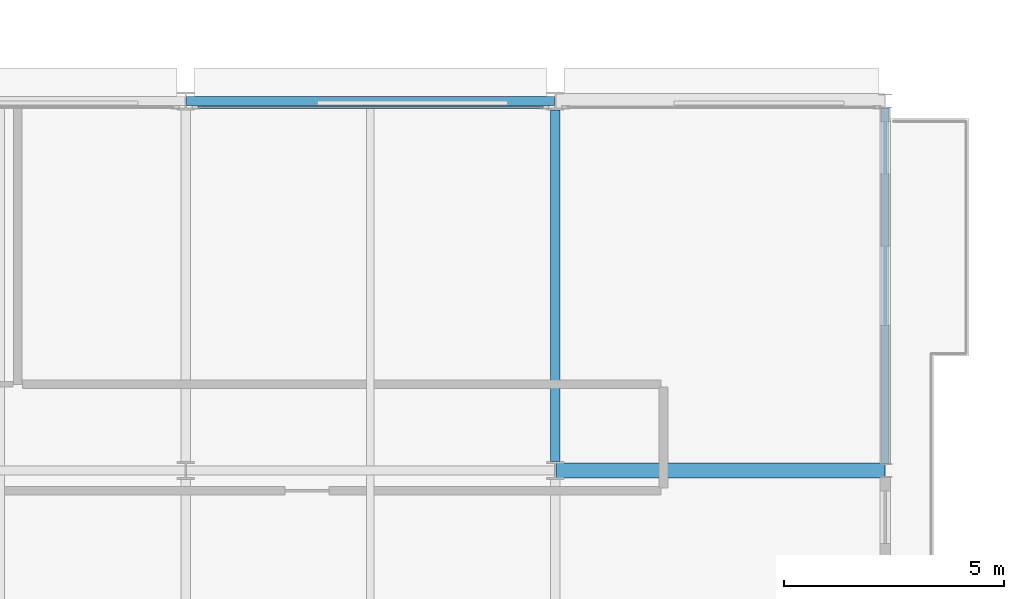
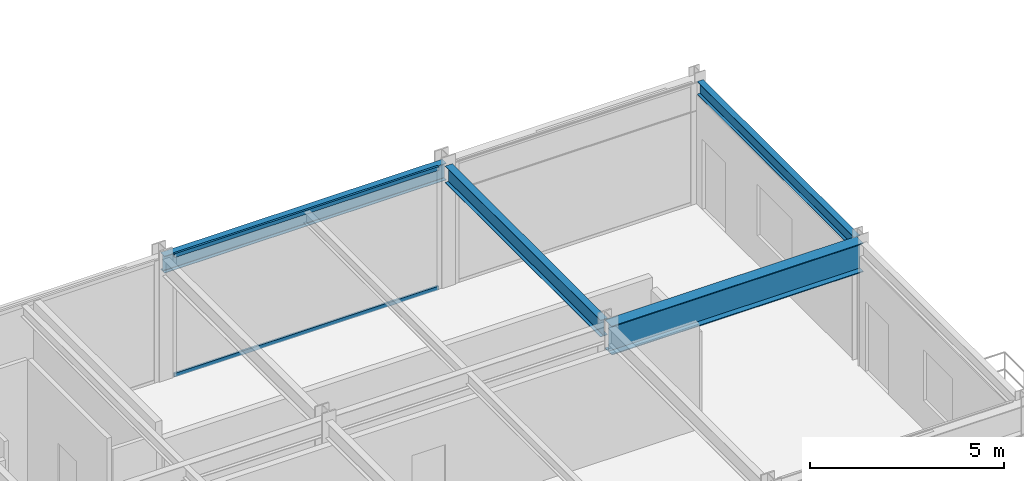
# One storey, part 21 of 39: 4 beams, 2 members, 1 element without a shape of its own.
"""IFC4 building model written with IfcOpenShell, lengths in metres."""

from ifc_helpers import new_model, si_unit, direction, frame, origin, origin_2d, place, context, subcontext, project, spatial, hollow_rectangle, i_section, extrude, material, layer, layer_set, material_profile, profile_set, type_object, element, aggregate, save


model = new_model("IFC4")

# Units and contexts
model_context = context("Model", 3, precision=1e-05, world=origin(), true_north=direction((0.0, 1.0)))
body_context = subcontext(model_context, "Body", "Model", "MODEL_VIEW")
ifc_project = project(units=[si_unit("LENGTHUNIT", "METRE"), si_unit("AREAUNIT", "SQUARE_METRE"), si_unit("VOLUMEUNIT", "CUBIC_METRE"), si_unit("PLANEANGLEUNIT", "RADIAN"), si_unit("MASSUNIT", "GRAM", prefix="KILO")], contexts=[model_context])

# Site, building, storey
site_placement = place(None, origin())
site = spatial("IfcSite", under=ifc_project, at=site_placement, CompositionType="ELEMENT")
building_placement = place(site_placement, origin())
building = spatial("IfcBuilding", under=site, at=building_placement, Name="Nerrivon Quay Data Exchange", CompositionType="ELEMENT")
storey_placement = place(building_placement, frame((0.0, 0.0, 92.60009765625)))
storey = spatial("IfcBuildingStorey", under=building, at=storey_placement, Name="L21", CompositionType="ELEMENT", Elevation=92.60009765625)

# Beams
ifc_material_1 = material(Name="Steel Grade 350", Category="steel")
ifc_material_profile_1 = material_profile(ifc_material_1, i_section(OverallWidth=0.35009765625, OverallDepth=0.909912109375, WebThickness=0.011962890625, FlangeThickness=0.02490234375, at=origin_2d()), Name="900WB218")
ifc_profile_set_1 = profile_set([ifc_material_profile_1], Name="Steel Grade 350")
beam_type_1 = type_object("IfcBeamType", Name="BM-CANT-900WB", PredefinedType="USERDEFINED", material=ifc_profile_set_1)
beam_1_placement = place(storey_placement, frame((50.41259765625, 16.800048828125, 3.369873046875), z_axis=(1.0, 0.0, 0.0), x_axis=(0.0, 1.0, 0.0)))
element("IfcBeam", 1, at=beam_1_placement, inside=storey, type_object=beam_type_1, Name="L21 East Hooked Cantilever Girder Y=16.8", ObjectType="TRANSFER", PredefinedType="USERDEFINED", context=body_context, shape_type="SweptSolid", body=[
    extrude(i_section(OverallWidth=0.35009765625, OverallDepth=0.909912109375, WebThickness=0.011962890625, FlangeThickness=0.02490234375, at=origin_2d()), origin(), (0.0, 0.0, 1.0), 7.4794921875),
])
ifc_material_profile_2 = material_profile(ifc_material_1, i_section(OverallWidth=0.208984375, OverallDepth=0.532958984375, WebThickness=0.01025390625, FlangeThickness=0.015625, FilletRadius=0.013916015625, at=origin_2d()), Name="530UB92.4")
ifc_profile_set_2 = profile_set([ifc_material_profile_2], Name="Steel Grade 350")
beam_type_2 = type_object("IfcBeamType", Name="BM-G3-530UB92", PredefinedType="BEAM", material=ifc_profile_set_2)
beam_2_placement = place(storey_placement, frame((42.012451171875, 25.199951171875, 3.558349609375), z_axis=(1.0, 0.0, 0.0), x_axis=(0.0, 1.0, 0.0)))
element("IfcBeam", 2, at=beam_2_placement, inside=storey, type_object=beam_type_2, Name="L21 EW Girder Y=25.2 (42.0..50.4)", PredefinedType="BEAM", context=body_context, shape_type="SweptSolid", body=[
    extrude(i_section(OverallWidth=0.208984375, OverallDepth=0.532958984375, WebThickness=0.01025390625, FlangeThickness=0.015625, FilletRadius=0.013916015625, at=origin_2d()), origin(), (0.0, 0.0, 1.0), 8.375),
])
ifc_material_profile_3 = material_profile(ifc_material_1, i_section(OverallWidth=0.208984375, OverallDepth=0.528076171875, WebThickness=0.009521484375, FlangeThickness=0.01318359375, FilletRadius=0.013916015625, at=origin_2d()), Name="530UB82.0")
ifc_profile_set_3 = profile_set([ifc_material_profile_3], Name="Steel Grade 350")
beam_type_3 = type_object("IfcBeamType", Name="BM-G4-530UB82", PredefinedType="BEAM", material=ifc_profile_set_3)
beam_3_placement = place(storey_placement, frame((50.39990234375, 17.0, 3.560791015625), z_axis=(0.0, 1.0, 0.0), x_axis=(-1.0, 0.0, 0.0)))
element("IfcBeam", 3, at=beam_3_placement, inside=storey, type_object=beam_type_3, Name="L21 NS Girder X=50.4 (16.8..25.2)", PredefinedType="BEAM", context=body_context, shape_type="SweptSolid", body=[
    extrude(i_section(OverallWidth=0.208984375, OverallDepth=0.528076171875, WebThickness=0.009521484375, FlangeThickness=0.01318359375, FilletRadius=0.013916015625, at=origin_2d()), origin(), (0.0, 0.0, 1.0), 8.0),
])
ifc_material_profile_4 = material_profile(ifc_material_1, i_section(OverallWidth=0.177978515625, OverallDepth=0.403076171875, WebThickness=0.007568359375, FlangeThickness=0.010986328125, FilletRadius=0.011474609375, at=origin_2d()), Name="410UB53.7")
ifc_profile_set_4 = profile_set([ifc_material_profile_4], Name="Steel Grade 350")
beam_type_4 = type_object("IfcBeamType", Name="BM-SP2-410UB54", PredefinedType="SPANDREL", material=ifc_profile_set_4)
beam_4_placement = place(storey_placement, frame((57.89990234375, 16.96337890625, 3.623291015625), z_axis=(0.0, 1.0, 0.0), x_axis=(-1.0, 0.0, 0.0)))
element("IfcBeam", 4, at=beam_4_placement, inside=storey, type_object=beam_type_4, Name="L21 East Hooked Edge Spandrel", PredefinedType="SPANDREL", context=body_context, shape_type="SweptSolid", body=[
    extrude(i_section(OverallWidth=0.177978515625, OverallDepth=0.403076171875, WebThickness=0.007568359375, FlangeThickness=0.010986328125, FilletRadius=0.011474609375, at=origin_2d()), origin(), (0.0, 0.0, 1.0), 8.0732421875),
])

# Curtain wall, members
ifc_material_2 = material(Name="Anodised aluminium 6063-T6", Category="aluminium")
ifc_layer = layer(ifc_material_2, 0.2099609375)
ifc_layer_set = layer_set([ifc_layer], Name="Anodised aluminium 6063-T6")
curtain_wall_type = type_object("IfcCurtainWallType", Name="CW-SYS-02", PredefinedType="NOTDEFINED", material=ifc_layer_set)
curtain_wall_placement = place(storey_placement, origin())
curtain_wall = element("IfcCurtainWall", 5, at=curtain_wall_placement, inside=storey, type_object=curtain_wall_type, Name="L21 Unitised Curtain Wall 34", PredefinedType="NOTDEFINED")
ifc_material_profile_5 = material_profile(ifc_material_2, hollow_rectangle(XDim=0.06005859375, YDim=0.1201171875, WallThickness=0.003173828125, at=origin_2d()), Name="ALU-TRAN-120x60")
ifc_profile_set_5 = profile_set([ifc_material_profile_5], Name="Anodised aluminium 6063-T6")
member_type = type_object("IfcMemberType", Name="CWT-120x60", PredefinedType="USERDEFINED", material=ifc_profile_set_5)
member_1_placement = place(storey_placement, frame((42.27490234375, 25.06005859375, 0.032470703125), z_axis=(1.0, 0.0, 0.0), x_axis=(0.0, 1.0, 0.0)))
member_1 = element("IfcMember", 6, at=member_1_placement, type_object=member_type, Name="CW02 transom 1.1", ObjectType="TRANSOM", PredefinedType="USERDEFINED", context=body_context, shape_type="SweptSolid", body=[
    extrude(hollow_rectangle(XDim=0.06005859375, YDim=0.1201171875, WallThickness=0.003173828125, at=origin_2d()), origin(), (0.0, 0.0, 1.0), 7.85009765625),
])
member_2_placement = place(storey_placement, frame((42.27490234375, 25.06005859375, 3.79248046875), z_axis=(1.0, 0.0, 0.0), x_axis=(0.0, 1.0, 0.0)))
member_2 = element("IfcMember", 7, at=member_2_placement, type_object=member_type, Name="CW02 transom 1.2", ObjectType="TRANSOM", PredefinedType="USERDEFINED", context=body_context, shape_type="SweptSolid", body=[
    extrude(hollow_rectangle(XDim=0.06005859375, YDim=0.1201171875, WallThickness=0.003173828125, at=origin_2d()), origin(), (0.0, 0.0, 1.0), 7.85009765625),
])
aggregate(curtain_wall, [member_1, member_2])

save(model, "model.ifc")
